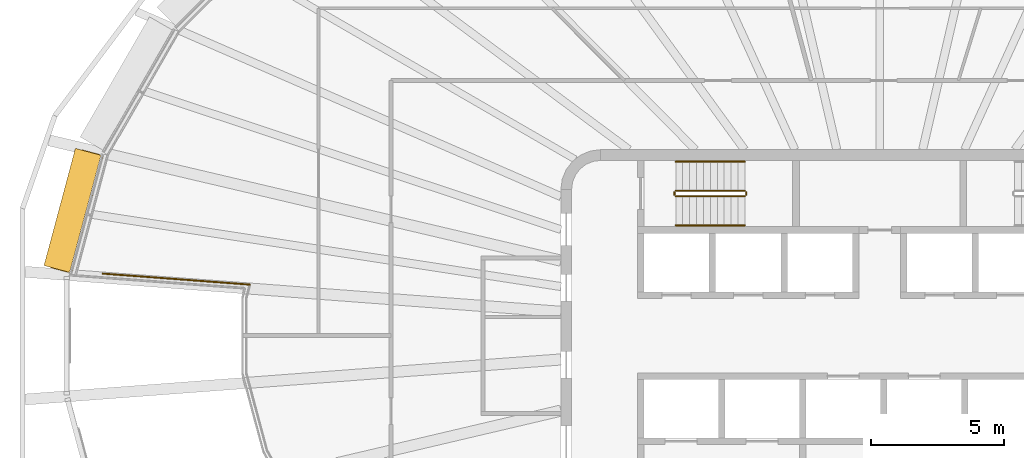
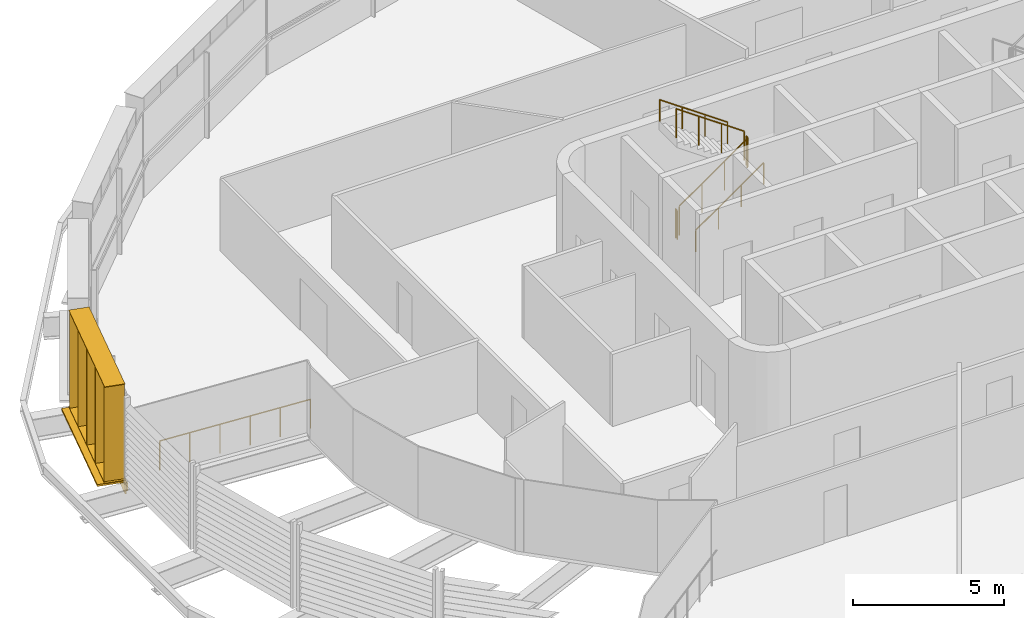
# One storey, part 16 of 19: 7 railings, 2 shading devices.
"""IFC4 building model written with IfcOpenShell, lengths in metres."""

from ifc_helpers import new_model, si_unit, direction, frame, origin, origin_2d, place, context, subcontext, project, spatial, rectangle, circle, extrude, material, type_object, element, save


model = new_model("IFC4")

# Units and contexts
model_context = context("Model", 3, precision=1e-05, world=origin(), true_north=direction((0.0, 1.0)))
body_context = subcontext(model_context, "Body", "Model", "MODEL_VIEW")
ifc_project = project(units=[si_unit("LENGTHUNIT", "METRE"), si_unit("AREAUNIT", "SQUARE_METRE"), si_unit("VOLUMEUNIT", "CUBIC_METRE"), si_unit("PLANEANGLEUNIT", "RADIAN"), si_unit("MASSUNIT", "GRAM", prefix="KILO")], contexts=[model_context])

# Site, building, storey
site_placement = place(None, origin())
site = spatial("IfcSite", under=ifc_project, at=site_placement, CompositionType="ELEMENT")
building_placement = place(site_placement, origin())
building = spatial("IfcBuilding", under=site, at=building_placement, Name="Sahrelin Media Tower", CompositionType="ELEMENT")
storey_placement = place(building_placement, frame((0.0, 0.0, 229.60009765625)))
storey = spatial("IfcBuildingStorey", under=building, at=storey_placement, Name="L49", CompositionType="ELEMENT", Elevation=229.60009765625)

# Shading device
ifc_material_1 = material(Name="Champagne anodised aluminium 6063-T6", Category="aluminium")
shading_device_type_1 = type_object("IfcShadingDeviceType", Name="Fin cassette", PredefinedType="USERDEFINED", material=ifc_material_1)
placement = place(storey_placement, frame((-29.87744140625, 4.5791015625, 0.0), z_axis=(0.0, 0.0, 1.0), x_axis=(0.258807731996, 0.965928857556, 0.0)))
element("IfcShadingDevice", 1, at=placement, inside=storey, type_object=shading_device_type_1, Name="L49:FIN:L49-11", ObjectType="FIN", PredefinedType="USERDEFINED", context=body_context, shape_type="SweptSolid", body=[
    extrude(rectangle(XDim=4.60009765625, YDim=0.699951171875, at=origin_2d()), frame((0.0, 0.419921875, 0.0)), (0.0, 0.0, 1.0), 0.02001953125),
    extrude(rectangle(XDim=4.60009765625, YDim=0.699951171875, at=origin_2d()), frame((0.0, 0.419921875, 3.89990234375)), (0.0, 0.0, 1.0), 0.02001953125),
    extrude(rectangle(XDim=0.02001953125, YDim=0.699951171875, at=origin_2d()), frame((-2.199951171875, 0.419921875, 0.010009765625), z_axis=(0.0, 0.0, 1.0), x_axis=(1.0, 0.0, 0.0)), (0.0, 0.0, 1.0), 3.89990234375),
    extrude(rectangle(XDim=0.02001953125, YDim=0.699951171875, at=origin_2d()), frame((-1.10009765625, 0.419921875, 0.010009765625), z_axis=(0.0, 0.0, 1.0), x_axis=(1.0, 0.0, 0.0)), (0.0, 0.0, 1.0), 3.89990234375),
    extrude(rectangle(XDim=0.02001953125, YDim=0.699951171875, at=origin_2d()), frame((0.0, 0.419921875, 0.010009765625), z_axis=(0.0, 0.0, 1.0), x_axis=(1.0, 0.0, 0.0)), (0.0, 0.0, 1.0), 3.89990234375),
    extrude(rectangle(XDim=0.02001953125, YDim=0.699951171875, at=origin_2d()), frame((1.10009765625, 0.419921875, 0.010009765625), z_axis=(0.0, 0.0, 1.0), x_axis=(1.0, 0.0, 0.0)), (0.0, 0.0, 1.0), 3.89990234375),
    extrude(rectangle(XDim=0.02001953125, YDim=0.699951171875, at=origin_2d()), frame((2.199951171875, 0.419921875, 0.010009765625), z_axis=(0.0, 0.0, 1.0), x_axis=(1.0, 0.0, 0.0)), (0.0, 0.0, 1.0), 3.89990234375),
])

# Railings
ifc_material_2 = material(Name="Stainless steel 316", Category="steel")
railing_type_1 = type_object("IfcRailingType", Name="Sky garden guard", PredefinedType="GUARDRAIL", material=ifc_material_2)
railing_1_placement = place(storey_placement, frame((-29.23974609375, 2.334716796875, 0.0)))
element("IfcRailing", 2, at=railing_1_placement, inside=storey, type_object=railing_type_1, Name="Sky garden void guard G4-6", PredefinedType="GUARDRAIL", context=body_context, shape_type="SweptSolid", body=[
    extrude(circle(Radius=0.02392578125, at=origin_2d()), frame((0.0, 0.0, 1.17578125), z_axis=(0.997219776695, -0.074516554994, 0.0), x_axis=(0.074516554994, 0.997219776695, 0.0)), (0.0, 0.0, 1.0), 5.550048828125),
    extrude(circle(Radius=0.02099609375, at=origin_2d()), origin(), (0.0, 0.0, 1.0), 1.15185546875),
    extrude(circle(Radius=0.02099609375, at=origin_2d()), frame((1.10693359375, -0.082763671875, 0.0)), (0.0, 0.0, 1.0), 1.15185546875),
    extrude(circle(Radius=0.02099609375, at=origin_2d()), frame((2.2138671875, -0.16552734375, 0.0)), (0.0, 0.0, 1.0), 1.15185546875),
    extrude(circle(Radius=0.02099609375, at=origin_2d()), frame((3.32080078125, -0.248046875, 0.0)), (0.0, 0.0, 1.0), 1.15185546875),
    extrude(circle(Radius=0.02099609375, at=origin_2d()), frame((4.427734375, -0.330810546875, 0.0)), (0.0, 0.0, 1.0), 1.15185546875),
    extrude(circle(Radius=0.02099609375, at=origin_2d()), frame((5.53466796875, -0.41357421875, 0.0)), (0.0, 0.0, 1.0), 1.15185546875),
])
ifc_material_3 = material(Name="Steel S355", Category="steel")
railing_type_2 = type_object("IfcRailingType", Name="Stair guard 1200", PredefinedType="GUARDRAIL", material=ifc_material_3)
railing_2_placement = place(storey_placement, frame((-7.675048828125, 5.25, 0.181640625)))
element("IfcRailing", 3, at=railing_2_placement, inside=storey, type_object=railing_type_2, Name="L49 ST1 stair guard 1", PredefinedType="GUARDRAIL", context=body_context, shape_type="SweptSolid", body=[
    extrude(circle(Radius=0.02392578125, at=origin_2d()), frame((0.0, 0.0, 1.17578125), z_axis=(0.819484887739, 0.0, 0.573100792852), x_axis=(0.0, 1.0, 0.0)), (0.0, 0.0, 1.0), 3.1728515625),
    extrude(circle(Radius=0.02099609375, at=origin_2d()), origin(), (0.0, 0.0, 1.0), 1.15185546875),
    extrude(circle(Radius=0.02099609375, at=origin_2d()), frame((0.86669921875, 0.0, 0.606201171875)), (0.0, 0.0, 1.0), 1.15185546875),
    extrude(circle(Radius=0.02099609375, at=origin_2d()), frame((1.7333984375, 0.0, 1.212158203125)), (0.0, 0.0, 1.0), 1.15185546875),
    extrude(circle(Radius=0.02099609375, at=origin_2d()), frame((2.60009765625, 0.0, 1.818359375)), (0.0, 0.0, 1.0), 1.15185546875),
])
railing_3_placement = place(storey_placement, frame((-5.02490234375, 5.300048828125, 2.0)))
element("IfcRailing", 4, at=railing_3_placement, inside=storey, type_object=railing_type_2, Name="L49 ST1 stair guard 2", PredefinedType="GUARDRAIL", context=body_context, shape_type="SweptSolid", body=[
    extrude(circle(Radius=0.02392578125, at=origin_2d()), frame((0.0, 0.0, 1.17578125), z_axis=(0.0, 1.0, 0.0), x_axis=(-1.0, 0.0, 0.0)), (0.0, 0.0, 1.0), 0.099853515625),
    extrude(circle(Radius=0.02099609375, at=origin_2d()), origin(), (0.0, 0.0, 1.0), 1.15185546875),
    extrude(circle(Radius=0.02099609375, at=origin_2d()), frame((0.0, 0.099853515625, 0.0)), (0.0, 0.0, 1.0), 1.15185546875),
])
railing_4_placement = place(storey_placement, frame((-5.074951171875, 5.449951171875, 2.181640625)))
element("IfcRailing", 5, at=railing_4_placement, inside=storey, type_object=railing_type_2, Name="L49 ST1 stair guard 3", PredefinedType="GUARDRAIL", context=body_context, shape_type="SweptSolid", body=[
    extrude(circle(Radius=0.02392578125, at=origin_2d()), frame((0.0, 0.0, 1.17578125), z_axis=(-0.819484887739, 0.0, 0.573100792852), x_axis=(0.0, -1.0, 0.0)), (0.0, 0.0, 1.0), 3.1728515625),
    extrude(circle(Radius=0.02099609375, at=origin_2d()), origin(), (0.0, 0.0, 1.0), 1.15185546875),
    extrude(circle(Radius=0.02099609375, at=origin_2d()), frame((-0.86669921875, 0.0, 0.606201171875)), (0.0, 0.0, 1.0), 1.15185546875),
    extrude(circle(Radius=0.02099609375, at=origin_2d()), frame((-1.7333984375, 0.0, 1.212158203125)), (0.0, 0.0, 1.0), 1.15185546875),
    extrude(circle(Radius=0.02099609375, at=origin_2d()), frame((-2.60009765625, 0.0, 1.818359375)), (0.0, 0.0, 1.0), 1.15185546875),
])
railing_5_placement = place(storey_placement, frame((-7.72509765625, 5.300048828125, 0.0)))
element("IfcRailing", 6, at=railing_5_placement, inside=storey, type_object=railing_type_2, Name="L49 ST1 stair guard 4", PredefinedType="GUARDRAIL", context=body_context, shape_type="SweptSolid", body=[
    extrude(circle(Radius=0.02392578125, at=origin_2d()), frame((0.0, 0.0, 1.17578125), z_axis=(0.0, 1.0, 0.0), x_axis=(-1.0, 0.0, 0.0)), (0.0, 0.0, 1.0), 0.099853515625),
    extrude(circle(Radius=0.02099609375, at=origin_2d()), origin(), (0.0, 0.0, 1.0), 1.15185546875),
    extrude(circle(Radius=0.02099609375, at=origin_2d()), frame((0.0, 0.099853515625, 0.0)), (0.0, 0.0, 1.0), 1.15185546875),
])
railing_type_3 = type_object("IfcRailingType", Name="Stair handrail 900", PredefinedType="HANDRAIL", material=ifc_material_3)
railing_6_placement = place(storey_placement, frame((-7.675048828125, 4.14990234375, 0.181640625)))
element("IfcRailing", 7, at=railing_6_placement, inside=storey, type_object=railing_type_3, Name="L49 ST1 stair handrail 1", PredefinedType="HANDRAIL", context=body_context, shape_type="SweptSolid", body=[
    extrude(circle(Radius=0.02392578125, at=origin_2d()), frame((0.0, 0.0, 0.8759765625), z_axis=(0.819484887739, 0.0, 0.573100792852), x_axis=(0.0, 1.0, 0.0)), (0.0, 0.0, 1.0), 3.1728515625),
    extrude(circle(Radius=0.02099609375, at=origin_2d()), origin(), (0.0, 0.0, 1.0), 0.851806640625),
    extrude(circle(Radius=0.02099609375, at=origin_2d()), frame((0.86669921875, 0.0, 0.606201171875)), (0.0, 0.0, 1.0), 0.851806640625),
    extrude(circle(Radius=0.02099609375, at=origin_2d()), frame((1.7333984375, 0.0, 1.212158203125)), (0.0, 0.0, 1.0), 0.851806640625),
    extrude(circle(Radius=0.02099609375, at=origin_2d()), frame((2.60009765625, 0.0, 1.818359375)), (0.0, 0.0, 1.0), 0.851806640625),
])
railing_7_placement = place(storey_placement, frame((-5.074951171875, 6.550048828125, 2.181640625)))
element("IfcRailing", 8, at=railing_7_placement, inside=storey, type_object=railing_type_3, Name="L49 ST1 stair handrail 2", PredefinedType="HANDRAIL", context=body_context, shape_type="SweptSolid", body=[
    extrude(circle(Radius=0.02392578125, at=origin_2d()), frame((0.0, 0.0, 0.8759765625), z_axis=(-0.819484887739, 0.0, 0.573100792852), x_axis=(0.0, -1.0, 0.0)), (0.0, 0.0, 1.0), 3.1728515625),
    extrude(circle(Radius=0.02099609375, at=origin_2d()), origin(), (0.0, 0.0, 1.0), 0.851806640625),
    extrude(circle(Radius=0.02099609375, at=origin_2d()), frame((-0.86669921875, 0.0, 0.606201171875)), (0.0, 0.0, 1.0), 0.851806640625),
    extrude(circle(Radius=0.02099609375, at=origin_2d()), frame((-1.7333984375, 0.0, 1.212158203125)), (0.0, 0.0, 1.0), 0.851806640625),
    extrude(circle(Radius=0.02099609375, at=origin_2d()), frame((-2.60009765625, 0.0, 1.818359375)), (0.0, 0.0, 1.0), 0.851806640625),
])

# Shading device
shading_device_type_2 = type_object("IfcShadingDeviceType", Name="Sunshade band", PredefinedType="USERDEFINED", material=ifc_material_1)
element("IfcShadingDevice", 9, at=placement, inside=storey, type_object=shading_device_type_2, Name="L49:SUN:L49-11", ObjectType="SUNSHADE", PredefinedType="USERDEFINED", context=body_context, shape_type="SweptSolid", body=[
    extrude(rectangle(XDim=4.564697265625, YDim=0.050048828125, at=origin_2d()), frame((0.0, 0.044921875, -0.55126953125)), (0.0, 0.0, 1.0), 0.471435546875),
    extrude(rectangle(XDim=4.564697265625, YDim=1.0, at=origin_2d()), frame((0.0, 0.52001953125, -0.080078125)), (0.0, 0.0, 1.0), 0.080078125),
    extrude(rectangle(XDim=0.10009765625, YDim=0.074951171875, at=origin_2d()), frame((-2.182373046875, -0.017578125, -0.47021484375)), (0.0, 0.0, 1.0), 0.300048828125),
    extrude(rectangle(XDim=0.10009765625, YDim=0.074951171875, at=origin_2d()), frame((-0.7275390625, -0.017578125, -0.47021484375)), (0.0, 0.0, 1.0), 0.300048828125),
    extrude(rectangle(XDim=0.10009765625, YDim=0.074951171875, at=origin_2d()), frame((0.7275390625, -0.017578125, -0.47021484375)), (0.0, 0.0, 1.0), 0.300048828125),
    extrude(rectangle(XDim=0.10009765625, YDim=0.074951171875, at=origin_2d()), frame((2.182373046875, -0.017578125, -0.47021484375)), (0.0, 0.0, 1.0), 0.300048828125),
])

save(model, "model.ifc")
